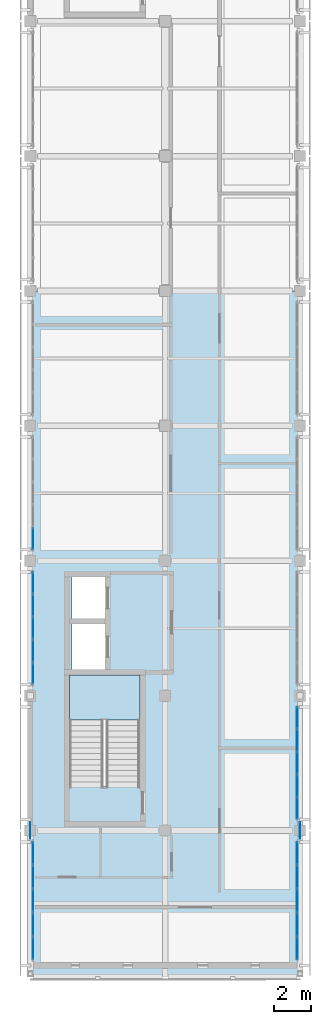
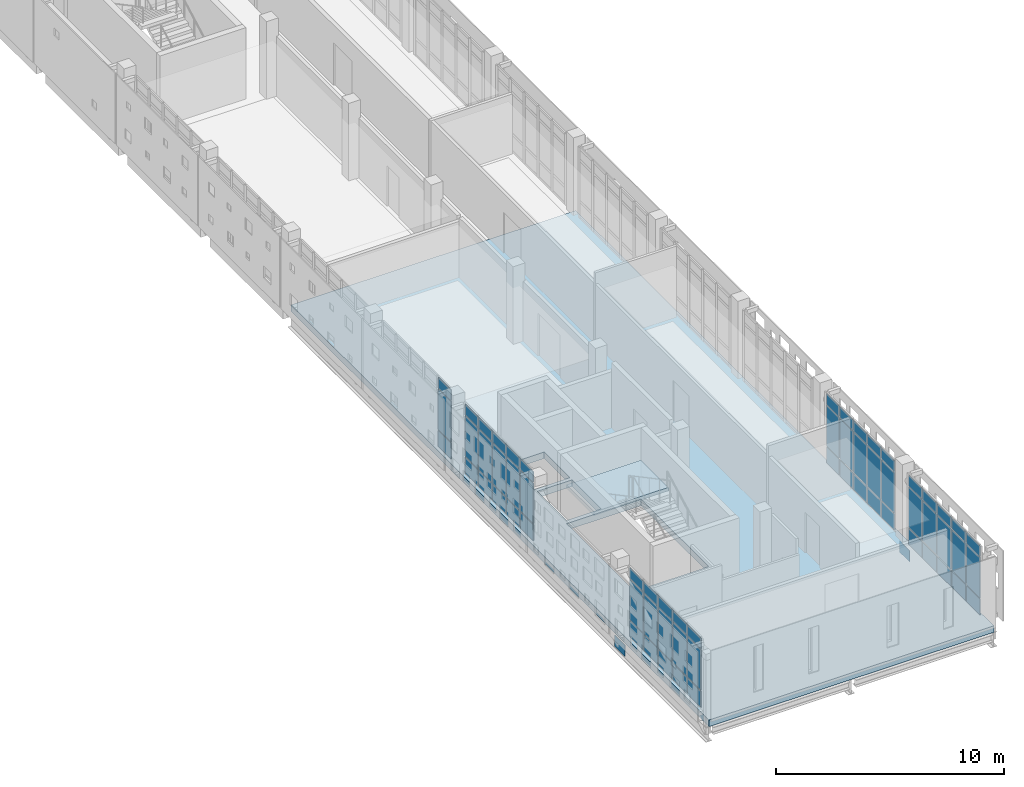
# One storey, part 11 of 21: 65 plates, 2 slabs, 6 elements without a shape of their own.
"""IFC4 building model written with IfcOpenShell, lengths in metres."""

import ifcopenshell
import ifcopenshell.guid

model = None  # the IFC model being written
_history = None  # IfcOwnerHistory: only IFC2X3 demands one
_inside = {}  # id of a spatial element -> (the spatial element, [elements in it])
_under = {}  # id of a project, library or spatial element -> (it, [spatial elements below it])
_declared = {}  # id of a project -> (the project, [libraries it declares])
_typed = {}  # id of a type object -> (the type object, [elements of that type])
_made_of = {}  # id of a material, layer set ... -> (it, [elements and type objects made of it])


def new_model(schema):
    """Start an empty IFC model of exactly this schema.

    Asked for "IFC4X3", IfcOpenShell would pick the latest addendum, in which some entities
    have other attributes; the version numbers below select the first issue.
    IFC2X3 requires an IfcOwnerHistory on every rooted entity: one is made here for all.
    """
    global model, _history
    if schema == "IFC4X3":
        model = ifcopenshell.file(schema_version=(4, 3, 0, 0))
    else:
        model = ifcopenshell.file(schema=schema)
    _inside.clear()
    _under.clear()
    _declared.clear()
    _typed.clear()
    _made_of.clear()
    _history = None
    if model.schema == "IFC2X3":
        org = make("IfcOrganization", Name="unknown")
        user = make(
            "IfcPersonAndOrganization",
            ThePerson=make("IfcPerson", FamilyName="unknown"),
            TheOrganization=org,
        )
        app = make(
            "IfcApplication",
            ApplicationDeveloper=org,
            Version="unknown",
            ApplicationFullName="unknown",
            ApplicationIdentifier="unknown",
        )
        _history = make(
            "IfcOwnerHistory",
            OwningUser=user,
            OwningApplication=app,
            ChangeAction="ADDED",
            CreationDate=0,
        )
    return model


def make(cls, **values):
    """One entity of the class cls with the attributes given. An attribute that is None is left unset."""
    return model.create_entity(
        cls, **{name: value for name, value in values.items() if value is not None}
    )


def rooted(cls, **values):
    """An entity with a GlobalId (a new one), such as an element, a storey or a relation."""
    return make(cls, GlobalId=ifcopenshell.guid.new(), OwnerHistory=_history, **values)


def si_unit(unit_type, name, prefix=None):
    """IfcSIUnit, for example si_unit("LENGTHUNIT", "METRE", prefix="MILLI")."""
    return make("IfcSIUnit", UnitType=unit_type, Prefix=prefix, Name=name)


def assignment(units):
    """IfcUnitAssignment: the units of a project."""
    return None if units is None else make("IfcUnitAssignment", Units=units)


def point(xyz):
    """IfcCartesianPoint."""
    return None if xyz is None else make("IfcCartesianPoint", Coordinates=xyz)


def direction(xyz):
    """IfcDirection."""
    return None if xyz is None else make("IfcDirection", DirectionRatios=xyz)


def frame(location, z_axis=None, x_axis=None):
    """IfcAxis2Placement3D, a coordinate frame: its origin and axes. An axis left out is left unset."""
    return make(
        "IfcAxis2Placement3D",
        Location=point(location),
        Axis=direction(z_axis),
        RefDirection=direction(x_axis),
    )


def frame_2d(location, x_axis=None):
    """IfcAxis2Placement2D, a coordinate frame in the plane: its origin and x axis."""
    return make(
        "IfcAxis2Placement2D", Location=point(location), RefDirection=direction(x_axis)
    )


def origin():
    """The frame at (0, 0, 0) with its axes left unset."""
    return frame((0.0, 0.0, 0.0))


def origin_2d():
    """The frame at (0, 0) in the plane with its x axis left unset."""
    return frame_2d((0.0, 0.0))


def place(relative_to, where):
    """IfcLocalPlacement: puts the frame where relative to a parent placement (None: the world)."""
    return make(
        "IfcLocalPlacement", PlacementRelTo=relative_to, RelativePlacement=where
    )


def context(
    kind, dimensions, precision=None, world=None, true_north=None, identifier=None
):
    """IfcGeometricRepresentationContext, for example the 3D "Model" context."""
    return make(
        "IfcGeometricRepresentationContext",
        ContextIdentifier=identifier,
        ContextType=kind,
        CoordinateSpaceDimension=dimensions,
        Precision=precision,
        WorldCoordinateSystem=world,
        TrueNorth=true_north,
    )


def subcontext(parent, identifier, kind, view, scale=None):
    """IfcGeometricRepresentationSubContext, for example "Body" below "Model"."""
    return make(
        "IfcGeometricRepresentationSubContext",
        ContextIdentifier=identifier,
        ContextType=kind,
        ParentContext=parent,
        TargetScale=scale,
        TargetView=view,
    )


def project(units=None, contexts=None):
    """IfcProject with its units and contexts."""
    return rooted(
        "IfcProject",
        Name="project",
        RepresentationContexts=contexts,
        UnitsInContext=assignment(units),
    )


def spatial(cls, under=None, at=None, **own):
    """A site, building, storey or space (cls), placed at a placement, below another one or the project."""
    s = rooted(cls, ObjectPlacement=at, **own)
    if under is not None:
        _under.setdefault(under.id(), (under, []))[1].append(s)
    return s


def polyline(points):
    """IfcPolyline through the points."""
    return make("IfcPolyline", Points=[point(p) for p in points])


def profile(cls, at=None, kind="AREA", **sizes):
    """A parametric profile (cls). Its sizes go by their IFC names, for example OverallWidth=200.0."""
    return make(cls, ProfileType=kind, Position=at, **sizes)


def rectangle(**sizes):
    """IfcRectangleProfileDef."""
    return profile("IfcRectangleProfileDef", **sizes)


def outline(outer, holes=None, kind="AREA"):
    """IfcArbitraryClosedProfileDef: a profile drawn as a closed curve; with holes, ...WithVoids."""
    if holes is None:
        return make("IfcArbitraryClosedProfileDef", ProfileType=kind, OuterCurve=outer)
    return make(
        "IfcArbitraryProfileDefWithVoids",
        ProfileType=kind,
        OuterCurve=outer,
        InnerCurves=holes,
    )


def extrude(swept, where, along, depth):
    """IfcExtrudedAreaSolid: the profile swept, set in the frame where, extruded along a direction by depth."""
    return make(
        "IfcExtrudedAreaSolid",
        SweptArea=swept,
        Position=where,
        ExtrudedDirection=direction(along),
        Depth=depth,
    )


def shape(context_of_items, identifier, shape_type, items):
    """IfcShapeRepresentation: the items that make up one representation, for example the "Body"."""
    return make(
        "IfcShapeRepresentation",
        ContextOfItems=context_of_items,
        RepresentationIdentifier=identifier,
        RepresentationType=shape_type,
        Items=items,
    )


def material(Name=None, Category=None):
    """IfcMaterial."""
    return make("IfcMaterial", Name=Name, Category=Category)


def layer(
    of_material, thickness, ventilated=None, Name=None, Category=None, Priority=None
):
    """IfcMaterialLayer: one layer of a wall or slab, of a material (None: an air gap)."""
    return make(
        "IfcMaterialLayer",
        Material=of_material,
        LayerThickness=thickness,
        IsVentilated=ventilated,
        Name=Name,
        Category=Category,
        Priority=Priority,
    )


def layer_set(layers, Name=None):
    """IfcMaterialLayerSet."""
    return make("IfcMaterialLayerSet", MaterialLayers=layers, LayerSetName=Name)


def made_of(thing, what):
    """Note that an element or type object is made of a material, layer set ...; save() writes the relation."""
    if what is not None:
        _made_of.setdefault(what.id(), (what, []))[1].append(thing)
    return thing


def type_object(cls, material=None, **own):
    """A type object (cls), such as IfcWallType, which elements share."""
    return made_of(rooted(cls, **own), material)


def element(
    cls,
    number,
    at=None,
    inside=None,
    cuts=None,
    type_object=None,
    material=None,
    context=None,
    identifier="Body",
    shape_type=None,
    held_by="IfcProductDefinitionShape",
    body=None,
    shapes=None,
    **own,
):
    """One element of the class cls, such as IfcWall. Its Tag is "e" and its number.

    at: its placement. inside: the storey or other place that contains it. cuts: it is an
    opening in that element (IfcRelVoidsElement). A single representation is given by context,
    identifier, shape_type and body (its items); several are given by shapes. held_by: the class
    of the entity that holds the representations. save() writes the other relations.
    """
    e = rooted(cls, Tag="e%d" % number, ObjectPlacement=at, **own)
    if body is not None:
        shapes = [shape(context, identifier, shape_type, body)]
    if shapes is not None:
        e.Representation = make(held_by, Representations=shapes)
    if inside is not None:
        _inside.setdefault(inside.id(), (inside, []))[1].append(e)
    if cuts is not None:
        rooted(
            "IfcRelVoidsElement", RelatingBuildingElement=cuts, RelatedOpeningElement=e
        )
    if type_object is not None:
        _typed.setdefault(type_object.id(), (type_object, []))[1].append(e)
    return made_of(e, material)


def aggregate(whole, parts):
    """IfcRelAggregates: a whole, such as a stair, and the parts it consists of."""
    return rooted("IfcRelAggregates", RelatingObject=whole, RelatedObjects=parts)


def save(model, path):
    """Write the relations noted so far, then the file.

    IfcRelAggregates (storeys below a building ...), IfcRelContainedInSpatialStructure (elements
    in a storey), IfcRelDefinesByType, IfcRelAssociatesMaterial and IfcRelDeclares: one each for
    every whole, place, type object, material and project.
    """
    for whole, parts in _under.values():
        aggregate(whole, parts)
    for where, things in _inside.values():
        rooted(
            "IfcRelContainedInSpatialStructure",
            RelatedElements=things,
            RelatingStructure=where,
        )
    for kind, things in _typed.values():
        rooted("IfcRelDefinesByType", RelatedObjects=things, RelatingType=kind)
    for what, things in _made_of.values():
        rooted("IfcRelAssociatesMaterial", RelatedObjects=things, RelatingMaterial=what)
    for by, libraries in _declared.values():
        rooted("IfcRelDeclares", RelatingContext=by, RelatedDefinitions=libraries)
    model.write(path)


model = new_model("IFC4")

# Units and contexts
model_context = context("Model", 3, precision=1e-05, world=origin(), true_north=direction((0.0, 1.0)))
body_context = subcontext(model_context, "Body", "Model", "MODEL_VIEW")
ifc_project = project(units=[si_unit("LENGTHUNIT", "METRE"), si_unit("AREAUNIT", "SQUARE_METRE"), si_unit("VOLUMEUNIT", "CUBIC_METRE"), si_unit("PLANEANGLEUNIT", "RADIAN"), si_unit("MASSUNIT", "GRAM", prefix="KILO")], contexts=[model_context])

# Site, building, storey
site_placement = place(None, origin())
site = spatial("IfcSite", under=ifc_project, at=site_placement, CompositionType="ELEMENT")
building_placement = place(site_placement, origin())
building = spatial("IfcBuilding", under=site, at=building_placement, Name="Valkovuoma Quantum and Materials Research Institute", CompositionType="ELEMENT")
storey_placement = place(building_placement, frame((0.0, 0.0, 29.760009765625)))
storey = spatial("IfcBuildingStorey", under=building, at=storey_placement, Name="L07", CompositionType="ELEMENT", Elevation=29.760009765625)

# Curtain wall, plates
ifc_material_1 = material(Name="Thermally broken aluminium and triple low-E glazing", Category="aluminium")
ifc_layer_1 = layer(ifc_material_1, 0.219970703125)
ifc_layer_set_1 = layer_set([ifc_layer_1], Name="Thermally broken aluminium and triple low-E glazing")
curtain_wall_type = type_object("IfcCurtainWallType", Name="CW-CW-01", PredefinedType="NOTDEFINED", material=ifc_layer_set_1)
curtain_wall_1_placement = place(storey_placement, origin())
curtain_wall_1 = element("IfcCurtainWall", 1, at=curtain_wall_1_placement, inside=storey, type_object=curtain_wall_type, Name="L07 curtain wall 091", PredefinedType="NOTDEFINED")
ifc_material_2 = material(Name="Triple low-E argon insulating glass", Category="glass")
ifc_layer_2 = layer(ifc_material_2, 0.035888671875)
ifc_layer_set_2 = layer_set([ifc_layer_2], Name="Triple low-E argon insulating glass")
plate_type_1 = type_object("IfcPlateType", Name="CWPanel-CWP-01", PredefinedType="CURTAIN_PANEL", material=ifc_layer_set_2)
plate_1_placement = place(storey_placement, frame((0.14990234375, 22.521728515625, 0.06494140625), z_axis=(0.0, 0.0, 1.0), x_axis=(0.0, 1.0, 0.0)))
plate_1 = element("IfcPlate", 2, at=plate_1_placement, type_object=plate_type_1, Name="CW-01 panel 1.1", PredefinedType="CURTAIN_PANEL", context=body_context, shape_type="SweptSolid", body=[
    extrude(rectangle(XDim=1.177490234375, YDim=0.035888671875, at=origin_2d()), origin(), (0.0, 0.0, 1.0), 0.8525390625),
])
plate_2_placement = place(storey_placement, frame((0.14990234375, 22.521728515625, 0.982421875), z_axis=(0.0, 0.0, 1.0), x_axis=(0.0, 1.0, 0.0)))
plate_2 = element("IfcPlate", 3, at=plate_2_placement, type_object=plate_type_1, Name="CW-01 panel 1.2", PredefinedType="CURTAIN_PANEL", context=body_context, shape_type="SweptSolid", body=[
    extrude(rectangle(XDim=1.177490234375, YDim=0.035888671875, at=origin_2d()), origin(), (0.0, 0.0, 1.0), 2.14501953125),
])
plate_3_placement = place(storey_placement, frame((0.14990234375, 22.521728515625, 3.1923828125), z_axis=(0.0, 0.0, 1.0), x_axis=(0.0, 1.0, 0.0)))
plate_3 = element("IfcPlate", 4, at=plate_3_placement, type_object=plate_type_1, Name="CW-01 panel 1.3", PredefinedType="CURTAIN_PANEL", context=body_context, shape_type="SweptSolid", body=[
    extrude(rectangle(XDim=1.177490234375, YDim=0.035888671875, at=origin_2d()), origin(), (0.0, 0.0, 1.0), 0.552490234375),
])
plate_4_placement = place(storey_placement, frame((0.14990234375, 23.780517578125, 0.06494140625), z_axis=(0.0, 0.0, 1.0), x_axis=(0.0, 1.0, 0.0)))
plate_4 = element("IfcPlate", 5, at=plate_4_placement, type_object=plate_type_1, Name="CW-01 panel 2.1", PredefinedType="CURTAIN_PANEL", context=body_context, shape_type="SweptSolid", body=[
    extrude(rectangle(XDim=1.2099609375, YDim=0.035888671875, at=origin_2d()), origin(), (0.0, 0.0, 1.0), 0.8525390625),
])
plate_5_placement = place(storey_placement, frame((0.14990234375, 23.780517578125, 0.982421875), z_axis=(0.0, 0.0, 1.0), x_axis=(0.0, 1.0, 0.0)))
plate_5 = element("IfcPlate", 6, at=plate_5_placement, type_object=plate_type_1, Name="CW-01 panel 2.2", PredefinedType="CURTAIN_PANEL", context=body_context, shape_type="SweptSolid", body=[
    extrude(rectangle(XDim=1.2099609375, YDim=0.035888671875, at=origin_2d()), origin(), (0.0, 0.0, 1.0), 2.14501953125),
])
plate_6_placement = place(storey_placement, frame((0.14990234375, 23.780517578125, 3.1923828125), z_axis=(0.0, 0.0, 1.0), x_axis=(0.0, 1.0, 0.0)))
plate_6 = element("IfcPlate", 7, at=plate_6_placement, type_object=plate_type_1, Name="CW-01 panel 2.3", PredefinedType="CURTAIN_PANEL", context=body_context, shape_type="SweptSolid", body=[
    extrude(rectangle(XDim=1.2099609375, YDim=0.035888671875, at=origin_2d()), origin(), (0.0, 0.0, 1.0), 0.552490234375),
])
plate_7_placement = place(storey_placement, frame((0.14990234375, 25.055419921875, 0.06494140625), z_axis=(0.0, 0.0, 1.0), x_axis=(0.0, 1.0, 0.0)))
plate_7 = element("IfcPlate", 8, at=plate_7_placement, type_object=plate_type_1, Name="CW-01 panel 3.1", PredefinedType="CURTAIN_PANEL", context=body_context, shape_type="SweptSolid", body=[
    extrude(rectangle(XDim=1.2099609375, YDim=0.035888671875, at=origin_2d()), origin(), (0.0, 0.0, 1.0), 0.8525390625),
])
plate_8_placement = place(storey_placement, frame((0.14990234375, 25.055419921875, 0.982421875), z_axis=(0.0, 0.0, 1.0), x_axis=(0.0, 1.0, 0.0)))
plate_8 = element("IfcPlate", 9, at=plate_8_placement, type_object=plate_type_1, Name="CW-01 panel 3.2", PredefinedType="CURTAIN_PANEL", context=body_context, shape_type="SweptSolid", body=[
    extrude(rectangle(XDim=1.2099609375, YDim=0.035888671875, at=origin_2d()), origin(), (0.0, 0.0, 1.0), 2.14501953125),
])
plate_9_placement = place(storey_placement, frame((0.14990234375, 25.055419921875, 3.1923828125), z_axis=(0.0, 0.0, 1.0), x_axis=(0.0, 1.0, 0.0)))
plate_9 = element("IfcPlate", 10, at=plate_9_placement, type_object=plate_type_1, Name="CW-01 panel 3.3", PredefinedType="CURTAIN_PANEL", context=body_context, shape_type="SweptSolid", body=[
    extrude(rectangle(XDim=1.2099609375, YDim=0.035888671875, at=origin_2d()), origin(), (0.0, 0.0, 1.0), 0.552490234375),
])
plate_10_placement = place(storey_placement, frame((0.14990234375, 26.330322265625, 0.06494140625), z_axis=(0.0, 0.0, 1.0), x_axis=(0.0, 1.0, 0.0)))
plate_10 = element("IfcPlate", 11, at=plate_10_placement, type_object=plate_type_1, Name="CW-01 panel 4.1", PredefinedType="CURTAIN_PANEL", context=body_context, shape_type="SweptSolid", body=[
    extrude(rectangle(XDim=1.2099609375, YDim=0.035888671875, at=origin_2d()), origin(), (0.0, 0.0, 1.0), 0.8525390625),
])
plate_11_placement = place(storey_placement, frame((0.14990234375, 26.330322265625, 0.982421875), z_axis=(0.0, 0.0, 1.0), x_axis=(0.0, 1.0, 0.0)))
plate_11 = element("IfcPlate", 12, at=plate_11_placement, type_object=plate_type_1, Name="CW-01 panel 4.2", PredefinedType="CURTAIN_PANEL", context=body_context, shape_type="SweptSolid", body=[
    extrude(rectangle(XDim=1.2099609375, YDim=0.035888671875, at=origin_2d()), origin(), (0.0, 0.0, 1.0), 2.14501953125),
])
plate_12_placement = place(storey_placement, frame((0.14990234375, 26.330322265625, 3.1923828125), z_axis=(0.0, 0.0, 1.0), x_axis=(0.0, 1.0, 0.0)))
plate_12 = element("IfcPlate", 13, at=plate_12_placement, type_object=plate_type_1, Name="CW-01 panel 4.3", PredefinedType="CURTAIN_PANEL", context=body_context, shape_type="SweptSolid", body=[
    extrude(rectangle(XDim=1.2099609375, YDim=0.035888671875, at=origin_2d()), origin(), (0.0, 0.0, 1.0), 0.552490234375),
])
plate_13_placement = place(storey_placement, frame((0.14990234375, 27.589111328125, 0.06494140625), z_axis=(0.0, 0.0, 1.0), x_axis=(0.0, 1.0, 0.0)))
plate_13 = element("IfcPlate", 14, at=plate_13_placement, type_object=plate_type_1, Name="CW-01 panel 5.1", PredefinedType="CURTAIN_PANEL", context=body_context, shape_type="SweptSolid", body=[
    extrude(rectangle(XDim=1.177490234375, YDim=0.035888671875, at=origin_2d()), origin(), (0.0, 0.0, 1.0), 0.8525390625),
])
plate_14_placement = place(storey_placement, frame((0.14990234375, 27.589111328125, 0.982421875), z_axis=(0.0, 0.0, 1.0), x_axis=(0.0, 1.0, 0.0)))
plate_14 = element("IfcPlate", 15, at=plate_14_placement, type_object=plate_type_1, Name="CW-01 panel 5.2", PredefinedType="CURTAIN_PANEL", context=body_context, shape_type="SweptSolid", body=[
    extrude(rectangle(XDim=1.177490234375, YDim=0.035888671875, at=origin_2d()), origin(), (0.0, 0.0, 1.0), 2.14501953125),
])
plate_15_placement = place(storey_placement, frame((0.14990234375, 27.589111328125, 3.1923828125), z_axis=(0.0, 0.0, 1.0), x_axis=(0.0, 1.0, 0.0)))
plate_15 = element("IfcPlate", 16, at=plate_15_placement, type_object=plate_type_1, Name="CW-01 panel 5.3", PredefinedType="CURTAIN_PANEL", context=body_context, shape_type="SweptSolid", body=[
    extrude(rectangle(XDim=1.177490234375, YDim=0.035888671875, at=origin_2d()), origin(), (0.0, 0.0, 1.0), 0.552490234375),
])
aggregate(curtain_wall_1, [plate_1, plate_2, plate_3, plate_4, plate_5, plate_6, plate_7, plate_8, plate_9, plate_10, plate_11, plate_12, plate_13, plate_14, plate_15])

curtain_wall_2_placement = place(storey_placement, origin())
curtain_wall_2 = element("IfcCurtainWall", 17, at=curtain_wall_2_placement, inside=storey, type_object=curtain_wall_type, Name="L07 curtain wall 094", PredefinedType="NOTDEFINED")
plate_16_placement = place(storey_placement, frame((0.14990234375, 37.181884765625, 0.06494140625), z_axis=(0.0, 0.0, 1.0), x_axis=(0.0, 1.0, 0.0)))
plate_16 = element("IfcPlate", 18, at=plate_16_placement, type_object=plate_type_1, Name="CW-01 panel 1.1", PredefinedType="CURTAIN_PANEL", context=body_context, shape_type="SweptSolid", body=[
    extrude(rectangle(XDim=1.11962890625, YDim=0.035888671875, at=origin_2d()), origin(), (0.0, 0.0, 1.0), 0.8525390625),
])
plate_17_placement = place(storey_placement, frame((0.14990234375, 37.181884765625, 0.982421875), z_axis=(0.0, 0.0, 1.0), x_axis=(0.0, 1.0, 0.0)))
plate_17 = element("IfcPlate", 19, at=plate_17_placement, type_object=plate_type_1, Name="CW-01 panel 1.2", PredefinedType="CURTAIN_PANEL", context=body_context, shape_type="SweptSolid", body=[
    extrude(rectangle(XDim=1.11962890625, YDim=0.035888671875, at=origin_2d()), origin(), (0.0, 0.0, 1.0), 2.14501953125),
])
plate_18_placement = place(storey_placement, frame((0.14990234375, 37.181884765625, 3.1923828125), z_axis=(0.0, 0.0, 1.0), x_axis=(0.0, 1.0, 0.0)))
plate_18 = element("IfcPlate", 20, at=plate_18_placement, type_object=plate_type_1, Name="CW-01 panel 1.3", PredefinedType="CURTAIN_PANEL", context=body_context, shape_type="SweptSolid", body=[
    extrude(rectangle(XDim=1.11962890625, YDim=0.035888671875, at=origin_2d()), origin(), (0.0, 0.0, 1.0), 0.552490234375),
])
plate_19_placement = place(storey_placement, frame((0.14990234375, 38.3828125, 0.06494140625), z_axis=(0.0, 0.0, 1.0), x_axis=(0.0, 1.0, 0.0)))
plate_19 = element("IfcPlate", 21, at=plate_19_placement, type_object=plate_type_1, Name="CW-01 panel 2.1", PredefinedType="CURTAIN_PANEL", context=body_context, shape_type="SweptSolid", body=[
    extrude(rectangle(XDim=1.152099609375, YDim=0.035888671875, at=origin_2d()), origin(), (0.0, 0.0, 1.0), 0.8525390625),
])
plate_20_placement = place(storey_placement, frame((0.14990234375, 38.3828125, 0.982421875), z_axis=(0.0, 0.0, 1.0), x_axis=(0.0, 1.0, 0.0)))
plate_20 = element("IfcPlate", 22, at=plate_20_placement, type_object=plate_type_1, Name="CW-01 panel 2.2", PredefinedType="CURTAIN_PANEL", context=body_context, shape_type="SweptSolid", body=[
    extrude(rectangle(XDim=1.152099609375, YDim=0.035888671875, at=origin_2d()), origin(), (0.0, 0.0, 1.0), 2.14501953125),
])
plate_21_placement = place(storey_placement, frame((0.14990234375, 38.3828125, 3.1923828125), z_axis=(0.0, 0.0, 1.0), x_axis=(0.0, 1.0, 0.0)))
plate_21 = element("IfcPlate", 23, at=plate_21_placement, type_object=plate_type_1, Name="CW-01 panel 2.3", PredefinedType="CURTAIN_PANEL", context=body_context, shape_type="SweptSolid", body=[
    extrude(rectangle(XDim=1.152099609375, YDim=0.035888671875, at=origin_2d()), origin(), (0.0, 0.0, 1.0), 0.552490234375),
])
plate_22_placement = place(storey_placement, frame((0.14990234375, 39.60009765625, 0.06494140625), z_axis=(0.0, 0.0, 1.0), x_axis=(0.0, 1.0, 0.0)))
plate_22 = element("IfcPlate", 24, at=plate_22_placement, type_object=plate_type_1, Name="CW-01 panel 3.1", PredefinedType="CURTAIN_PANEL", context=body_context, shape_type="SweptSolid", body=[
    extrude(rectangle(XDim=1.152099609375, YDim=0.035888671875, at=origin_2d()), origin(), (0.0, 0.0, 1.0), 0.8525390625),
])
plate_23_placement = place(storey_placement, frame((0.14990234375, 39.60009765625, 0.982421875), z_axis=(0.0, 0.0, 1.0), x_axis=(0.0, 1.0, 0.0)))
plate_23 = element("IfcPlate", 25, at=plate_23_placement, type_object=plate_type_1, Name="CW-01 panel 3.2", PredefinedType="CURTAIN_PANEL", context=body_context, shape_type="SweptSolid", body=[
    extrude(rectangle(XDim=1.152099609375, YDim=0.035888671875, at=origin_2d()), origin(), (0.0, 0.0, 1.0), 2.14501953125),
])
plate_24_placement = place(storey_placement, frame((0.14990234375, 39.60009765625, 3.1923828125), z_axis=(0.0, 0.0, 1.0), x_axis=(0.0, 1.0, 0.0)))
plate_24 = element("IfcPlate", 26, at=plate_24_placement, type_object=plate_type_1, Name="CW-01 panel 3.3", PredefinedType="CURTAIN_PANEL", context=body_context, shape_type="SweptSolid", body=[
    extrude(rectangle(XDim=1.152099609375, YDim=0.035888671875, at=origin_2d()), origin(), (0.0, 0.0, 1.0), 0.552490234375),
])
plate_25_placement = place(storey_placement, frame((0.14990234375, 40.817138671875, 0.06494140625), z_axis=(0.0, 0.0, 1.0), x_axis=(0.0, 1.0, 0.0)))
plate_25 = element("IfcPlate", 27, at=plate_25_placement, type_object=plate_type_1, Name="CW-01 panel 4.1", PredefinedType="CURTAIN_PANEL", context=body_context, shape_type="SweptSolid", body=[
    extrude(rectangle(XDim=1.152099609375, YDim=0.035888671875, at=origin_2d()), origin(), (0.0, 0.0, 1.0), 0.8525390625),
])
plate_26_placement = place(storey_placement, frame((0.14990234375, 40.817138671875, 0.982421875), z_axis=(0.0, 0.0, 1.0), x_axis=(0.0, 1.0, 0.0)))
plate_26 = element("IfcPlate", 28, at=plate_26_placement, type_object=plate_type_1, Name="CW-01 panel 4.2", PredefinedType="CURTAIN_PANEL", context=body_context, shape_type="SweptSolid", body=[
    extrude(rectangle(XDim=1.152099609375, YDim=0.035888671875, at=origin_2d()), origin(), (0.0, 0.0, 1.0), 2.14501953125),
])
plate_27_placement = place(storey_placement, frame((0.14990234375, 40.817138671875, 3.1923828125), z_axis=(0.0, 0.0, 1.0), x_axis=(0.0, 1.0, 0.0)))
plate_27 = element("IfcPlate", 29, at=plate_27_placement, type_object=plate_type_1, Name="CW-01 panel 4.3", PredefinedType="CURTAIN_PANEL", context=body_context, shape_type="SweptSolid", body=[
    extrude(rectangle(XDim=1.152099609375, YDim=0.035888671875, at=origin_2d()), origin(), (0.0, 0.0, 1.0), 0.552490234375),
])
plate_28_placement = place(storey_placement, frame((0.14990234375, 42.01806640625, 0.06494140625), z_axis=(0.0, 0.0, 1.0), x_axis=(0.0, 1.0, 0.0)))
plate_28 = element("IfcPlate", 30, at=plate_28_placement, type_object=plate_type_1, Name="CW-01 panel 5.1", PredefinedType="CURTAIN_PANEL", context=body_context, shape_type="SweptSolid", body=[
    extrude(rectangle(XDim=1.11962890625, YDim=0.035888671875, at=origin_2d()), origin(), (0.0, 0.0, 1.0), 0.8525390625),
])
plate_29_placement = place(storey_placement, frame((0.14990234375, 42.01806640625, 0.982421875), z_axis=(0.0, 0.0, 1.0), x_axis=(0.0, 1.0, 0.0)))
plate_29 = element("IfcPlate", 31, at=plate_29_placement, type_object=plate_type_1, Name="CW-01 panel 5.2", PredefinedType="CURTAIN_PANEL", context=body_context, shape_type="SweptSolid", body=[
    extrude(rectangle(XDim=1.11962890625, YDim=0.035888671875, at=origin_2d()), origin(), (0.0, 0.0, 1.0), 2.14501953125),
])
plate_30_placement = place(storey_placement, frame((0.14990234375, 42.01806640625, 3.1923828125), z_axis=(0.0, 0.0, 1.0), x_axis=(0.0, 1.0, 0.0)))
plate_30 = element("IfcPlate", 32, at=plate_30_placement, type_object=plate_type_1, Name="CW-01 panel 5.3", PredefinedType="CURTAIN_PANEL", context=body_context, shape_type="SweptSolid", body=[
    extrude(rectangle(XDim=1.11962890625, YDim=0.035888671875, at=origin_2d()), origin(), (0.0, 0.0, 1.0), 0.552490234375),
])
aggregate(curtain_wall_2, [plate_16, plate_17, plate_18, plate_19, plate_20, plate_21, plate_22, plate_23, plate_24, plate_25, plate_26, plate_27, plate_28, plate_29, plate_30])

curtain_wall_3_placement = place(storey_placement, origin())
curtain_wall_3 = element("IfcCurtainWall", 33, at=curtain_wall_3_placement, inside=storey, type_object=curtain_wall_type, Name="L07 curtain wall 096", PredefinedType="NOTDEFINED")
plate_31_placement = place(storey_placement, frame((0.14990234375, 44.3818359375, 0.06494140625), z_axis=(0.0, 0.0, 1.0), x_axis=(0.0, 1.0, 0.0)))
plate_31 = element("IfcPlate", 34, at=plate_31_placement, type_object=plate_type_1, Name="CW-01 panel 1.1", PredefinedType="CURTAIN_PANEL", context=body_context, shape_type="SweptSolid", body=[
    extrude(rectangle(XDim=1.11962890625, YDim=0.035888671875, at=origin_2d()), origin(), (0.0, 0.0, 1.0), 0.8525390625),
])
plate_32_placement = place(storey_placement, frame((0.14990234375, 44.3818359375, 0.982421875), z_axis=(0.0, 0.0, 1.0), x_axis=(0.0, 1.0, 0.0)))
plate_32 = element("IfcPlate", 35, at=plate_32_placement, type_object=plate_type_1, Name="CW-01 panel 1.2", PredefinedType="CURTAIN_PANEL", context=body_context, shape_type="SweptSolid", body=[
    extrude(rectangle(XDim=1.11962890625, YDim=0.035888671875, at=origin_2d()), origin(), (0.0, 0.0, 1.0), 2.14501953125),
])
plate_33_placement = place(storey_placement, frame((0.14990234375, 44.3818359375, 3.1923828125), z_axis=(0.0, 0.0, 1.0), x_axis=(0.0, 1.0, 0.0)))
plate_33 = element("IfcPlate", 36, at=plate_33_placement, type_object=plate_type_1, Name="CW-01 panel 1.3", PredefinedType="CURTAIN_PANEL", context=body_context, shape_type="SweptSolid", body=[
    extrude(rectangle(XDim=1.11962890625, YDim=0.035888671875, at=origin_2d()), origin(), (0.0, 0.0, 1.0), 0.552490234375),
])
aggregate(curtain_wall_3, [plate_31, plate_32, plate_33])

curtain_wall_4_placement = place(storey_placement, origin())
curtain_wall_4 = element("IfcCurtainWall", 37, at=curtain_wall_4_placement, inside=storey, type_object=curtain_wall_type, Name="L07 curtain wall 092", PredefinedType="NOTDEFINED")
ifc_material_3 = material(Name="Triple low-E argon insulating glass", Category="glass")
ifc_layer_3 = layer(ifc_material_3, 0.0419921875)
ifc_layer_set_3 = layer_set([ifc_layer_3], Name="Triple low-E argon insulating glass")
plate_type_2 = type_object("IfcPlateType", Name="CWPanel-CWP-02", PredefinedType="CURTAIN_PANEL", material=ifc_layer_set_3)
plate_34_placement = place(storey_placement, frame((14.25, 22.521728515625, 0.06494140625), z_axis=(0.0, 0.0, 1.0), x_axis=(0.0, 1.0, 0.0)))
plate_34 = element("IfcPlate", 38, at=plate_34_placement, type_object=plate_type_2, Name="CW-01 panel 1.1", PredefinedType="CURTAIN_PANEL", context=body_context, shape_type="SweptSolid", body=[
    extrude(rectangle(XDim=1.177490234375, YDim=0.0419921875, at=origin_2d()), origin(), (0.0, 0.0, 1.0), 0.8525390625),
])
plate_35_placement = place(storey_placement, frame((14.25, 22.521728515625, 0.982421875), z_axis=(0.0, 0.0, 1.0), x_axis=(0.0, 1.0, 0.0)))
plate_35 = element("IfcPlate", 39, at=plate_35_placement, type_object=plate_type_2, Name="CW-01 panel 1.2", PredefinedType="CURTAIN_PANEL", context=body_context, shape_type="SweptSolid", body=[
    extrude(rectangle(XDim=1.177490234375, YDim=0.0419921875, at=origin_2d()), origin(), (0.0, 0.0, 1.0), 2.14501953125),
])
plate_36_placement = place(storey_placement, frame((14.25, 22.521728515625, 3.1923828125), z_axis=(0.0, 0.0, 1.0), x_axis=(0.0, 1.0, 0.0)))
plate_36 = element("IfcPlate", 40, at=plate_36_placement, type_object=plate_type_2, Name="CW-01 panel 1.3", PredefinedType="CURTAIN_PANEL", context=body_context, shape_type="SweptSolid", body=[
    extrude(rectangle(XDim=1.177490234375, YDim=0.0419921875, at=origin_2d()), origin(), (0.0, 0.0, 1.0), 0.552490234375),
])
plate_37_placement = place(storey_placement, frame((14.25, 23.780517578125, 0.06494140625), z_axis=(0.0, 0.0, 1.0), x_axis=(0.0, 1.0, 0.0)))
plate_37 = element("IfcPlate", 41, at=plate_37_placement, type_object=plate_type_2, Name="CW-01 panel 2.1", PredefinedType="CURTAIN_PANEL", context=body_context, shape_type="SweptSolid", body=[
    extrude(rectangle(XDim=1.2099609375, YDim=0.0419921875, at=origin_2d()), origin(), (0.0, 0.0, 1.0), 0.8525390625),
])
plate_38_placement = place(storey_placement, frame((14.25, 23.780517578125, 0.982421875), z_axis=(0.0, 0.0, 1.0), x_axis=(0.0, 1.0, 0.0)))
plate_38 = element("IfcPlate", 42, at=plate_38_placement, type_object=plate_type_2, Name="CW-01 panel 2.2", PredefinedType="CURTAIN_PANEL", context=body_context, shape_type="SweptSolid", body=[
    extrude(rectangle(XDim=1.2099609375, YDim=0.0419921875, at=origin_2d()), origin(), (0.0, 0.0, 1.0), 2.14501953125),
])
plate_39_placement = place(storey_placement, frame((14.25, 23.780517578125, 3.1923828125), z_axis=(0.0, 0.0, 1.0), x_axis=(0.0, 1.0, 0.0)))
plate_39 = element("IfcPlate", 43, at=plate_39_placement, type_object=plate_type_2, Name="CW-01 panel 2.3", PredefinedType="CURTAIN_PANEL", context=body_context, shape_type="SweptSolid", body=[
    extrude(rectangle(XDim=1.2099609375, YDim=0.0419921875, at=origin_2d()), origin(), (0.0, 0.0, 1.0), 0.552490234375),
])
plate_40_placement = place(storey_placement, frame((14.25, 25.055419921875, 0.06494140625), z_axis=(0.0, 0.0, 1.0), x_axis=(0.0, 1.0, 0.0)))
plate_40 = element("IfcPlate", 44, at=plate_40_placement, type_object=plate_type_2, Name="CW-01 panel 3.1", PredefinedType="CURTAIN_PANEL", context=body_context, shape_type="SweptSolid", body=[
    extrude(rectangle(XDim=1.2099609375, YDim=0.0419921875, at=origin_2d()), origin(), (0.0, 0.0, 1.0), 0.8525390625),
])
plate_41_placement = place(storey_placement, frame((14.25, 25.055419921875, 0.982421875), z_axis=(0.0, 0.0, 1.0), x_axis=(0.0, 1.0, 0.0)))
plate_41 = element("IfcPlate", 45, at=plate_41_placement, type_object=plate_type_2, Name="CW-01 panel 3.2", PredefinedType="CURTAIN_PANEL", context=body_context, shape_type="SweptSolid", body=[
    extrude(rectangle(XDim=1.2099609375, YDim=0.0419921875, at=origin_2d()), origin(), (0.0, 0.0, 1.0), 2.14501953125),
])
plate_42_placement = place(storey_placement, frame((14.25, 25.055419921875, 3.1923828125), z_axis=(0.0, 0.0, 1.0), x_axis=(0.0, 1.0, 0.0)))
plate_42 = element("IfcPlate", 46, at=plate_42_placement, type_object=plate_type_2, Name="CW-01 panel 3.3", PredefinedType="CURTAIN_PANEL", context=body_context, shape_type="SweptSolid", body=[
    extrude(rectangle(XDim=1.2099609375, YDim=0.0419921875, at=origin_2d()), origin(), (0.0, 0.0, 1.0), 0.552490234375),
])
plate_43_placement = place(storey_placement, frame((14.25, 26.330322265625, 0.06494140625), z_axis=(0.0, 0.0, 1.0), x_axis=(0.0, 1.0, 0.0)))
plate_43 = element("IfcPlate", 47, at=plate_43_placement, type_object=plate_type_2, Name="CW-01 panel 4.1", PredefinedType="CURTAIN_PANEL", context=body_context, shape_type="SweptSolid", body=[
    extrude(rectangle(XDim=1.2099609375, YDim=0.0419921875, at=origin_2d()), origin(), (0.0, 0.0, 1.0), 0.8525390625),
])
plate_44_placement = place(storey_placement, frame((14.25, 26.330322265625, 0.982421875), z_axis=(0.0, 0.0, 1.0), x_axis=(0.0, 1.0, 0.0)))
plate_44 = element("IfcPlate", 48, at=plate_44_placement, type_object=plate_type_2, Name="CW-01 panel 4.2", PredefinedType="CURTAIN_PANEL", context=body_context, shape_type="SweptSolid", body=[
    extrude(rectangle(XDim=1.2099609375, YDim=0.0419921875, at=origin_2d()), origin(), (0.0, 0.0, 1.0), 2.14501953125),
])
plate_45_placement = place(storey_placement, frame((14.25, 26.330322265625, 3.1923828125), z_axis=(0.0, 0.0, 1.0), x_axis=(0.0, 1.0, 0.0)))
plate_45 = element("IfcPlate", 49, at=plate_45_placement, type_object=plate_type_2, Name="CW-01 panel 4.3", PredefinedType="CURTAIN_PANEL", context=body_context, shape_type="SweptSolid", body=[
    extrude(rectangle(XDim=1.2099609375, YDim=0.0419921875, at=origin_2d()), origin(), (0.0, 0.0, 1.0), 0.552490234375),
])
plate_46_placement = place(storey_placement, frame((14.25, 27.589111328125, 0.06494140625), z_axis=(0.0, 0.0, 1.0), x_axis=(0.0, 1.0, 0.0)))
plate_46 = element("IfcPlate", 50, at=plate_46_placement, type_object=plate_type_2, Name="CW-01 panel 5.1", PredefinedType="CURTAIN_PANEL", context=body_context, shape_type="SweptSolid", body=[
    extrude(rectangle(XDim=1.177490234375, YDim=0.0419921875, at=origin_2d()), origin(), (0.0, 0.0, 1.0), 0.8525390625),
])
plate_47_placement = place(storey_placement, frame((14.25, 27.589111328125, 0.982421875), z_axis=(0.0, 0.0, 1.0), x_axis=(0.0, 1.0, 0.0)))
plate_47 = element("IfcPlate", 51, at=plate_47_placement, type_object=plate_type_2, Name="CW-01 panel 5.2", PredefinedType="CURTAIN_PANEL", context=body_context, shape_type="SweptSolid", body=[
    extrude(rectangle(XDim=1.177490234375, YDim=0.0419921875, at=origin_2d()), origin(), (0.0, 0.0, 1.0), 2.14501953125),
])
plate_48_placement = place(storey_placement, frame((14.25, 27.589111328125, 3.1923828125), z_axis=(0.0, 0.0, 1.0), x_axis=(0.0, 1.0, 0.0)))
plate_48 = element("IfcPlate", 52, at=plate_48_placement, type_object=plate_type_2, Name="CW-01 panel 5.3", PredefinedType="CURTAIN_PANEL", context=body_context, shape_type="SweptSolid", body=[
    extrude(rectangle(XDim=1.177490234375, YDim=0.0419921875, at=origin_2d()), origin(), (0.0, 0.0, 1.0), 0.552490234375),
])
aggregate(curtain_wall_4, [plate_34, plate_35, plate_36, plate_37, plate_38, plate_39, plate_40, plate_41, plate_42, plate_43, plate_44, plate_45, plate_46, plate_47, plate_48])

curtain_wall_5_placement = place(storey_placement, origin())
curtain_wall_5 = element("IfcCurtainWall", 53, at=curtain_wall_5_placement, inside=storey, type_object=curtain_wall_type, Name="L07 curtain wall 093", PredefinedType="NOTDEFINED")
plate_49_placement = place(storey_placement, frame((14.25, 29.98193359375, 0.06494140625), z_axis=(0.0, 0.0, 1.0), x_axis=(0.0, 1.0, 0.0)))
plate_49 = element("IfcPlate", 54, at=plate_49_placement, type_object=plate_type_2, Name="CW-01 panel 1.1", PredefinedType="CURTAIN_PANEL", context=body_context, shape_type="SweptSolid", body=[
    extrude(rectangle(XDim=1.11962890625, YDim=0.0419921875, at=origin_2d()), origin(), (0.0, 0.0, 1.0), 0.8525390625),
])
plate_50_placement = place(storey_placement, frame((14.25, 29.98193359375, 0.982421875), z_axis=(0.0, 0.0, 1.0), x_axis=(0.0, 1.0, 0.0)))
plate_50 = element("IfcPlate", 55, at=plate_50_placement, type_object=plate_type_2, Name="CW-01 panel 1.2", PredefinedType="CURTAIN_PANEL", context=body_context, shape_type="SweptSolid", body=[
    extrude(rectangle(XDim=1.11962890625, YDim=0.0419921875, at=origin_2d()), origin(), (0.0, 0.0, 1.0), 2.14501953125),
])
plate_51_placement = place(storey_placement, frame((14.25, 29.98193359375, 3.1923828125), z_axis=(0.0, 0.0, 1.0), x_axis=(0.0, 1.0, 0.0)))
plate_51 = element("IfcPlate", 56, at=plate_51_placement, type_object=plate_type_2, Name="CW-01 panel 1.3", PredefinedType="CURTAIN_PANEL", context=body_context, shape_type="SweptSolid", body=[
    extrude(rectangle(XDim=1.11962890625, YDim=0.0419921875, at=origin_2d()), origin(), (0.0, 0.0, 1.0), 0.552490234375),
])
plate_52_placement = place(storey_placement, frame((14.25, 31.182861328125, 0.06494140625), z_axis=(0.0, 0.0, 1.0), x_axis=(0.0, 1.0, 0.0)))
plate_52 = element("IfcPlate", 57, at=plate_52_placement, type_object=plate_type_2, Name="CW-01 panel 2.1", PredefinedType="CURTAIN_PANEL", context=body_context, shape_type="SweptSolid", body=[
    extrude(rectangle(XDim=1.152099609375, YDim=0.0419921875, at=origin_2d()), origin(), (0.0, 0.0, 1.0), 0.8525390625),
])
plate_53_placement = place(storey_placement, frame((14.25, 31.182861328125, 0.982421875), z_axis=(0.0, 0.0, 1.0), x_axis=(0.0, 1.0, 0.0)))
plate_53 = element("IfcPlate", 58, at=plate_53_placement, type_object=plate_type_2, Name="CW-01 panel 2.2", PredefinedType="CURTAIN_PANEL", context=body_context, shape_type="SweptSolid", body=[
    extrude(rectangle(XDim=1.152099609375, YDim=0.0419921875, at=origin_2d()), origin(), (0.0, 0.0, 1.0), 2.14501953125),
])
plate_54_placement = place(storey_placement, frame((14.25, 31.182861328125, 3.1923828125), z_axis=(0.0, 0.0, 1.0), x_axis=(0.0, 1.0, 0.0)))
plate_54 = element("IfcPlate", 59, at=plate_54_placement, type_object=plate_type_2, Name="CW-01 panel 2.3", PredefinedType="CURTAIN_PANEL", context=body_context, shape_type="SweptSolid", body=[
    extrude(rectangle(XDim=1.152099609375, YDim=0.0419921875, at=origin_2d()), origin(), (0.0, 0.0, 1.0), 0.552490234375),
])
plate_55_placement = place(storey_placement, frame((14.25, 32.39990234375, 0.06494140625), z_axis=(0.0, 0.0, 1.0), x_axis=(0.0, 1.0, 0.0)))
plate_55 = element("IfcPlate", 60, at=plate_55_placement, type_object=plate_type_2, Name="CW-01 panel 3.1", PredefinedType="CURTAIN_PANEL", context=body_context, shape_type="SweptSolid", body=[
    extrude(rectangle(XDim=1.152099609375, YDim=0.0419921875, at=origin_2d()), origin(), (0.0, 0.0, 1.0), 0.8525390625),
])
plate_56_placement = place(storey_placement, frame((14.25, 32.39990234375, 0.982421875), z_axis=(0.0, 0.0, 1.0), x_axis=(0.0, 1.0, 0.0)))
plate_56 = element("IfcPlate", 61, at=plate_56_placement, type_object=plate_type_2, Name="CW-01 panel 3.2", PredefinedType="CURTAIN_PANEL", context=body_context, shape_type="SweptSolid", body=[
    extrude(rectangle(XDim=1.152099609375, YDim=0.0419921875, at=origin_2d()), origin(), (0.0, 0.0, 1.0), 2.14501953125),
])
plate_57_placement = place(storey_placement, frame((14.25, 32.39990234375, 3.1923828125), z_axis=(0.0, 0.0, 1.0), x_axis=(0.0, 1.0, 0.0)))
plate_57 = element("IfcPlate", 62, at=plate_57_placement, type_object=plate_type_2, Name="CW-01 panel 3.3", PredefinedType="CURTAIN_PANEL", context=body_context, shape_type="SweptSolid", body=[
    extrude(rectangle(XDim=1.152099609375, YDim=0.0419921875, at=origin_2d()), origin(), (0.0, 0.0, 1.0), 0.552490234375),
])
plate_58_placement = place(storey_placement, frame((14.25, 33.6171875, 0.06494140625), z_axis=(0.0, 0.0, 1.0), x_axis=(0.0, 1.0, 0.0)))
plate_58 = element("IfcPlate", 63, at=plate_58_placement, type_object=plate_type_2, Name="CW-01 panel 4.1", PredefinedType="CURTAIN_PANEL", context=body_context, shape_type="SweptSolid", body=[
    extrude(rectangle(XDim=1.152099609375, YDim=0.0419921875, at=origin_2d()), origin(), (0.0, 0.0, 1.0), 0.8525390625),
])
plate_59_placement = place(storey_placement, frame((14.25, 33.6171875, 0.982421875), z_axis=(0.0, 0.0, 1.0), x_axis=(0.0, 1.0, 0.0)))
plate_59 = element("IfcPlate", 64, at=plate_59_placement, type_object=plate_type_2, Name="CW-01 panel 4.2", PredefinedType="CURTAIN_PANEL", context=body_context, shape_type="SweptSolid", body=[
    extrude(rectangle(XDim=1.152099609375, YDim=0.0419921875, at=origin_2d()), origin(), (0.0, 0.0, 1.0), 2.14501953125),
])
plate_60_placement = place(storey_placement, frame((14.25, 33.6171875, 3.1923828125), z_axis=(0.0, 0.0, 1.0), x_axis=(0.0, 1.0, 0.0)))
plate_60 = element("IfcPlate", 65, at=plate_60_placement, type_object=plate_type_2, Name="CW-01 panel 4.3", PredefinedType="CURTAIN_PANEL", context=body_context, shape_type="SweptSolid", body=[
    extrude(rectangle(XDim=1.152099609375, YDim=0.0419921875, at=origin_2d()), origin(), (0.0, 0.0, 1.0), 0.552490234375),
])
plate_61_placement = place(storey_placement, frame((14.25, 34.818115234375, 0.06494140625), z_axis=(0.0, 0.0, 1.0), x_axis=(0.0, 1.0, 0.0)))
plate_61 = element("IfcPlate", 66, at=plate_61_placement, type_object=plate_type_2, Name="CW-01 panel 5.1", PredefinedType="CURTAIN_PANEL", context=body_context, shape_type="SweptSolid", body=[
    extrude(rectangle(XDim=1.11962890625, YDim=0.0419921875, at=origin_2d()), origin(), (0.0, 0.0, 1.0), 0.8525390625),
])
plate_62_placement = place(storey_placement, frame((14.25, 34.818115234375, 0.982421875), z_axis=(0.0, 0.0, 1.0), x_axis=(0.0, 1.0, 0.0)))
plate_62 = element("IfcPlate", 67, at=plate_62_placement, type_object=plate_type_2, Name="CW-01 panel 5.2", PredefinedType="CURTAIN_PANEL", context=body_context, shape_type="SweptSolid", body=[
    extrude(rectangle(XDim=1.11962890625, YDim=0.0419921875, at=origin_2d()), origin(), (0.0, 0.0, 1.0), 2.14501953125),
])
plate_63_placement = place(storey_placement, frame((14.25, 34.818115234375, 3.1923828125), z_axis=(0.0, 0.0, 1.0), x_axis=(0.0, 1.0, 0.0)))
plate_63 = element("IfcPlate", 68, at=plate_63_placement, type_object=plate_type_2, Name="CW-01 panel 5.3", PredefinedType="CURTAIN_PANEL", context=body_context, shape_type="SweptSolid", body=[
    extrude(rectangle(XDim=1.11962890625, YDim=0.0419921875, at=origin_2d()), origin(), (0.0, 0.0, 1.0), 0.552490234375),
])
aggregate(curtain_wall_5, [plate_49, plate_50, plate_51, plate_52, plate_53, plate_54, plate_55, plate_56, plate_57, plate_58, plate_59, plate_60, plate_61, plate_62, plate_63])

# Plates
ifc_material_4 = material(Name="Steel S355J2", Category="steel")
plate_type_3 = type_object("IfcPlateType", Name="Plate-PL-GUS3", PredefinedType="USERDEFINED", material=ifc_material_4)
for number, where, z_axis, x_axis, name in (
    (69, (0.0, 28.800048828125, -1.050048828125), (0.0, 0.0, 1.0), (0.0, 1.0, 0.0), "L07 cantilever gusset plate 0"),
    (70, (14.39990234375, 28.800048828125, -1.050048828125), (0.0, 0.0, 1.0), (0.0, 1.0, 0.0), "L07 cantilever gusset plate 1"),
):
    element("IfcPlate", number, at=place(storey_placement, frame(where, z_axis=z_axis, x_axis=x_axis)), inside=storey, type_object=plate_type_3, Name=name, ObjectType="GUSSET_PLATE", PredefinedType="USERDEFINED", context=body_context, shape_type="SweptSolid", body=[
        extrude(rectangle(XDim=0.89990234375, YDim=0.02490234375, at=origin_2d()), origin(), (0.0, 0.0, 1.0), 0.60009765625),
    ])

# Slab
ifc_material_5 = material(Name="Concrete C40/50", Category="concrete")
ifc_layer_4 = layer(ifc_material_5, 0.35009765625)
ifc_layer_set_4 = layer_set([ifc_layer_4], Name="Concrete C40/50")
slab_type_1 = type_object("IfcSlabType", Name="Slab-SL-FL350", PredefinedType="FLOOR", material=ifc_layer_set_4)
slab_1_placement = place(storey_placement, frame((0.0, 0.0, -0.35009765625)))
element("IfcSlab", 71, at=slab_1_placement, inside=storey, type_object=slab_type_1, Name="L07 vol5_drylab structural slab 1", PredefinedType="FLOOR", context=body_context, shape_type="SweptSolid", body=[
    extrude(outline(polyline([(0.0, 21.0), (14.39990234375, 21.0), (14.39990234375, 57.60009765625), (0.0, 57.60009765625), (0.0, 21.0)]), holes=[polyline([(2.10009765625, 31.159912109375), (5.85009765625, 31.159912109375), (5.85009765625, 37.10009765625), (2.10009765625, 37.10009765625), (2.10009765625, 31.159912109375)]), polyline([(2.219970703125, 37.320068359375), (3.97998046875, 37.320068359375), (3.97998046875, 39.8798828125), (2.219970703125, 39.8798828125), (2.219970703125, 37.320068359375)]), polyline([(2.219970703125, 40.070068359375), (3.97998046875, 40.070068359375), (3.97998046875, 42.330078125), (2.219970703125, 42.330078125), (2.219970703125, 40.070068359375)])]), origin(), (0.0, 0.0, 1.0), 0.35009765625),
])

# Stair, slab
ifc_material_6 = material(Name="Concrete C40/50", Category="concrete")
stair_type = type_object("IfcStairType", Name="Stair-ST-COR", PredefinedType="HALF_TURN_STAIR", material=ifc_material_6)
stair_placement = place(storey_placement, origin())
stair = element("IfcStair", 72, at=stair_placement, inside=storey, type_object=stair_type, Name="L07 Exit Stair ST-1", PredefinedType="HALF_TURN_STAIR")
ifc_material_7 = material(Name="Concrete C40/50", Category="concrete")
ifc_layer_5 = layer(ifc_material_7, 0.199951171875)
ifc_layer_set_5 = layer_set([ifc_layer_5], Name="Concrete C40/50")
slab_type_2 = type_object("IfcSlabType", Name="Slab-SL-LND200", PredefinedType="LANDING", material=ifc_layer_set_5)
slab_2_placement = place(storey_placement, frame((0.0, 0.0, 1.8798828125)))
slab_2 = element("IfcSlab", 73, at=slab_2_placement, type_object=slab_type_2, Name="ST-1 landing 1", PredefinedType="LANDING", context=body_context, shape_type="SweptSolid", body=[
    extrude(outline(polyline([(5.85009765625, 34.699951171875), (5.85009765625, 37.10009765625), (2.10009765625, 37.10009765625), (2.10009765625, 34.699951171875), (5.85009765625, 34.699951171875)])), origin(), (0.0, 0.0, 1.0), 0.2001953125),
])
aggregate(stair, [slab_2])

save(model, "model.ifc")
